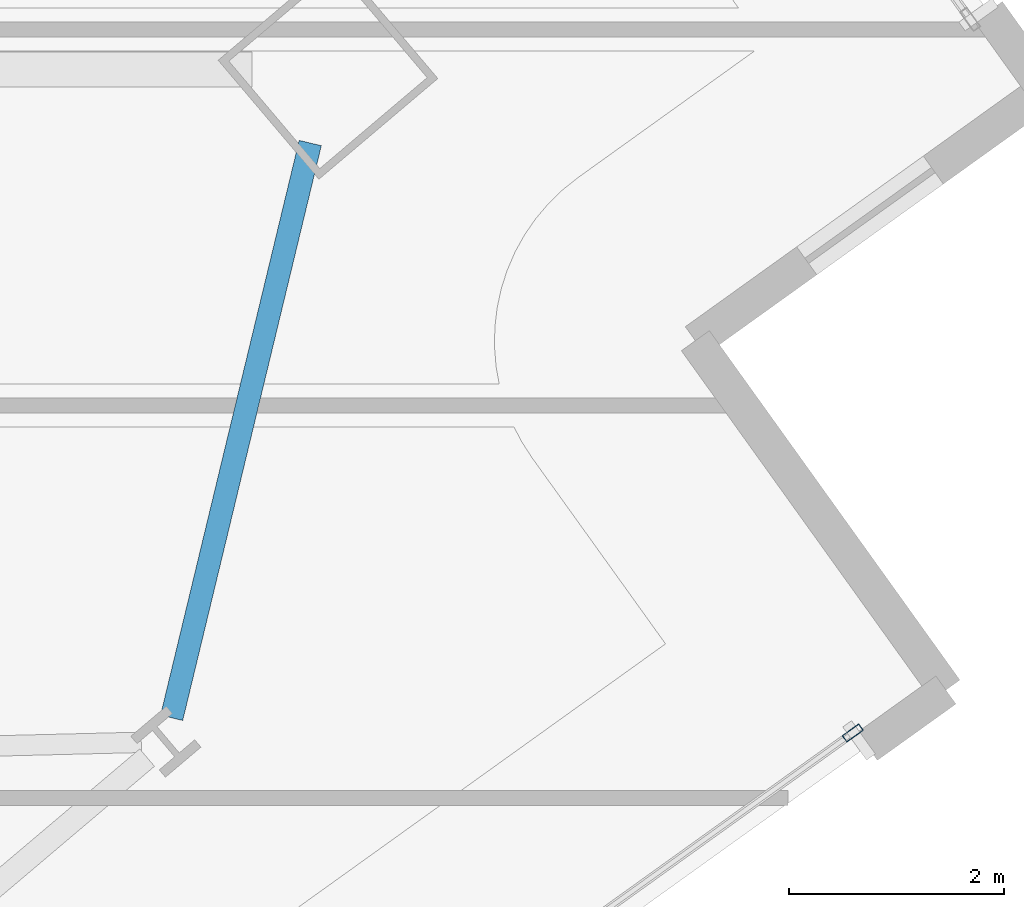
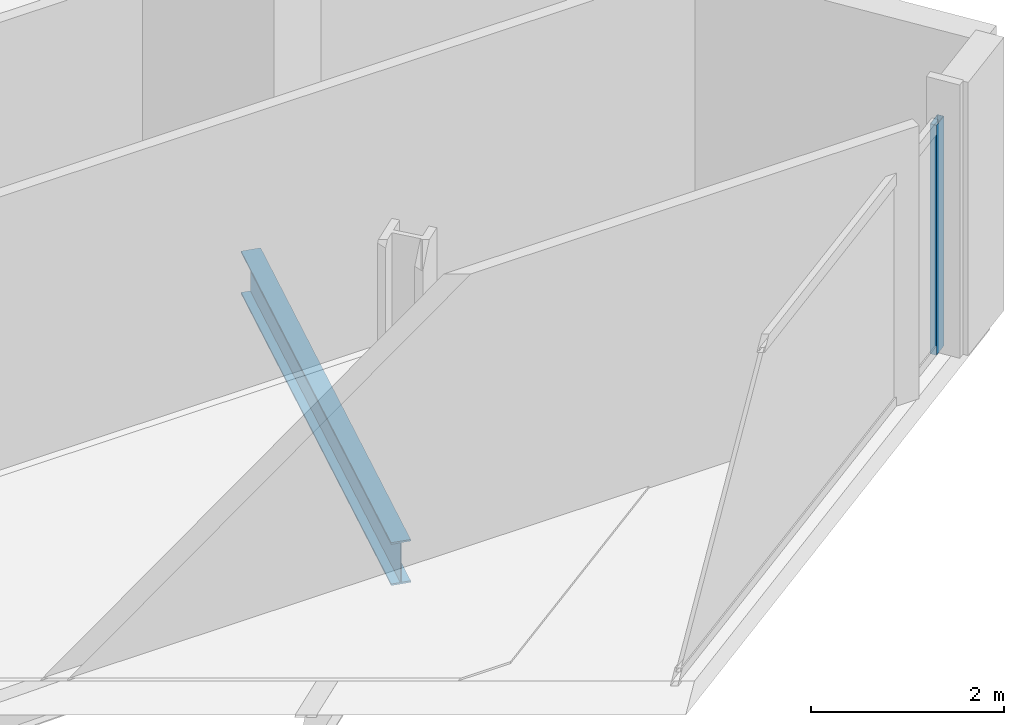
# One storey, part 10 of 33: 1 beam, 1 member, 1 element without a shape of its own.
"""IFC4 building model written with IfcOpenShell, lengths in metres."""

from ifc_helpers import new_model, si_unit, direction, frame, origin, origin_2d, place, context, subcontext, project, spatial, hollow_rectangle, i_section, extrude, material, material_profile, profile_set, type_object, element, aggregate, save


model = new_model("IFC4")

# Units and contexts
model_context = context("Model", 3, precision=1e-05, world=origin(), true_north=direction((0.0, 1.0)))
body_context = subcontext(model_context, "Body", "Model", "MODEL_VIEW")
ifc_project = project(units=[si_unit("LENGTHUNIT", "METRE"), si_unit("AREAUNIT", "SQUARE_METRE"), si_unit("VOLUMEUNIT", "CUBIC_METRE"), si_unit("PLANEANGLEUNIT", "RADIAN"), si_unit("MASSUNIT", "GRAM", prefix="KILO")], contexts=[model_context])

# Site, building, storey
site_placement = place(None, origin())
site = spatial("IfcSite", under=ifc_project, at=site_placement, CompositionType="ELEMENT")
building_placement = place(site_placement, origin())
building = spatial("IfcBuilding", under=site, at=building_placement, Name="Haldenkirk Collegiate Tower", CompositionType="ELEMENT")
storey_placement = place(building_placement, frame((0.0, 0.0, 148.199951171875)))
storey = spatial("IfcBuildingStorey", under=building, at=storey_placement, Name="L36", CompositionType="ELEMENT", Elevation=148.199951171875)

# Beam
ifc_material_1 = material(Name="Steel ASTM A992 Grade 50", Category="steel")
ifc_material_profile_1 = material_profile(ifc_material_1, i_section(OverallWidth=0.2119140625, OverallDepth=0.5439453125, WebThickness=0.01318359375, FlangeThickness=0.021240234375, at=origin_2d()), Name="W21X83")
ifc_profile_set_1 = profile_set([ifc_material_profile_1], Name="Steel ASTM A992 Grade 50")
beam_type = type_object("IfcBeamType", Name="BM-SPANDREL-W21X83", PredefinedType="SPANDREL", material=ifc_profile_set_1)
beam_placement = place(storey_placement, frame((60.010009765625, 18.595458984375, -0.56201171875), z_axis=(0.23444531808, 0.972129308698, 0.0), x_axis=(-0.972129308698, 0.23444531808, 0.0)))
element("IfcBeam", 1, at=beam_placement, inside=storey, type_object=beam_type, Name="L36 perimeter spandrel beam 04", PredefinedType="SPANDREL", context=body_context, shape_type="SweptSolid", body=[
    extrude(i_section(OverallWidth=0.2119140625, OverallDepth=0.5439453125, WebThickness=0.01318359375, FlangeThickness=0.021240234375, at=origin_2d()), origin(), (0.0, 0.0, 1.0), 5.50146484375),
])

# Curtain wall, member
ifc_material_2 = material(Name="Anodised architectural bronze aluminium", Category="aluminium")
curtain_wall_type = type_object("IfcCurtainWallType", Name="CW-SYS2-CONCAVE", PredefinedType="USERDEFINED", material=ifc_material_2)
curtain_wall_placement = place(storey_placement, origin())
curtain_wall = element("IfcCurtainWall", 2, at=curtain_wall_placement, inside=storey, type_object=curtain_wall_type, Name="L36 South concave recessed bronze-anodised curtain wall", ObjectType="UNITISED CURTAIN WALL", PredefinedType="USERDEFINED")
ifc_material_profile_2 = material_profile(ifc_material_2, hollow_rectangle(XDim=0.074951171875, YDim=0.18994140625, WallThickness=0.0048828125, at=origin_2d()), Name="CW-MUL-02")
ifc_profile_set_2 = profile_set([ifc_material_profile_2], Name="Anodised architectural bronze aluminium")
member_type = type_object("IfcMemberType", Name="CW-MUL-02", PredefinedType="MULLION", material=ifc_profile_set_2)
member_placement = place(storey_placement, frame((66.34814453125, 18.453857421875, 0.0), z_axis=(0.0, 0.0, 1.0), x_axis=(0.582833529689, -0.812591580482, 0.0)))
member = element("IfcMember", 3, at=member_placement, type_object=member_type, Name="CW-02 mullion 1", PredefinedType="MULLION", context=body_context, shape_type="SweptSolid", body=[
    extrude(hollow_rectangle(XDim=0.074951171875, YDim=0.18994140625, WallThickness=0.0048828125, at=origin_2d()), origin(), (0.0, 0.0, 1.0), 2.9111328125),
])
aggregate(curtain_wall, [member])

save(model, "model.ifc")
